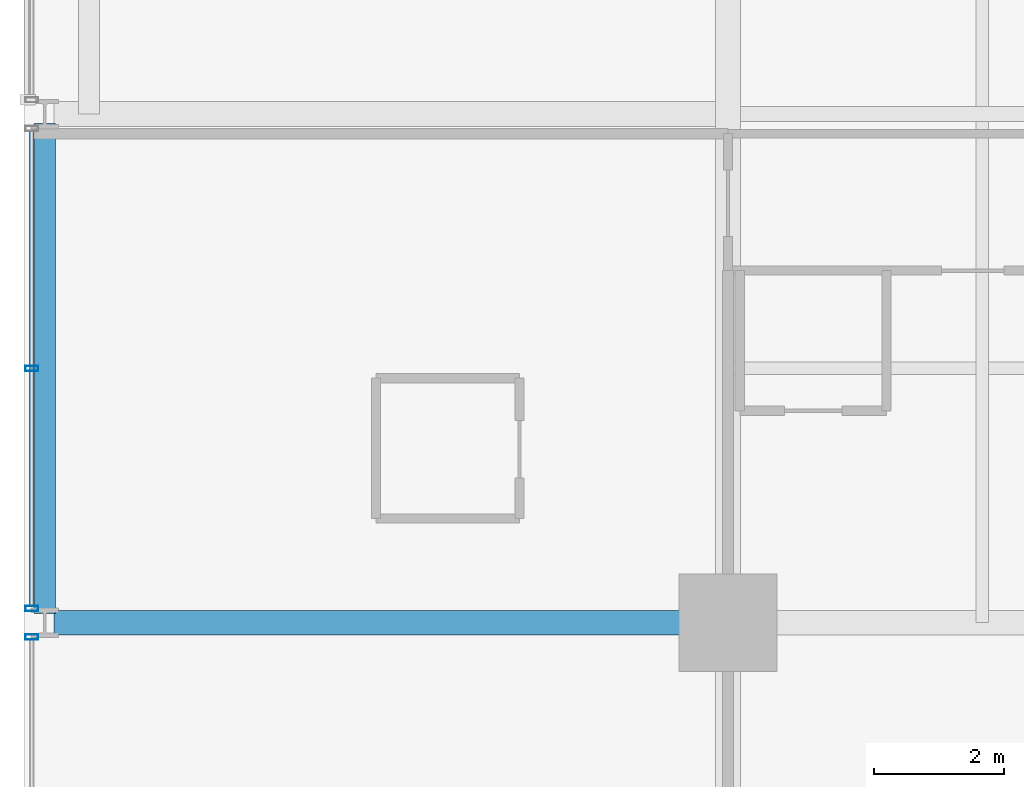
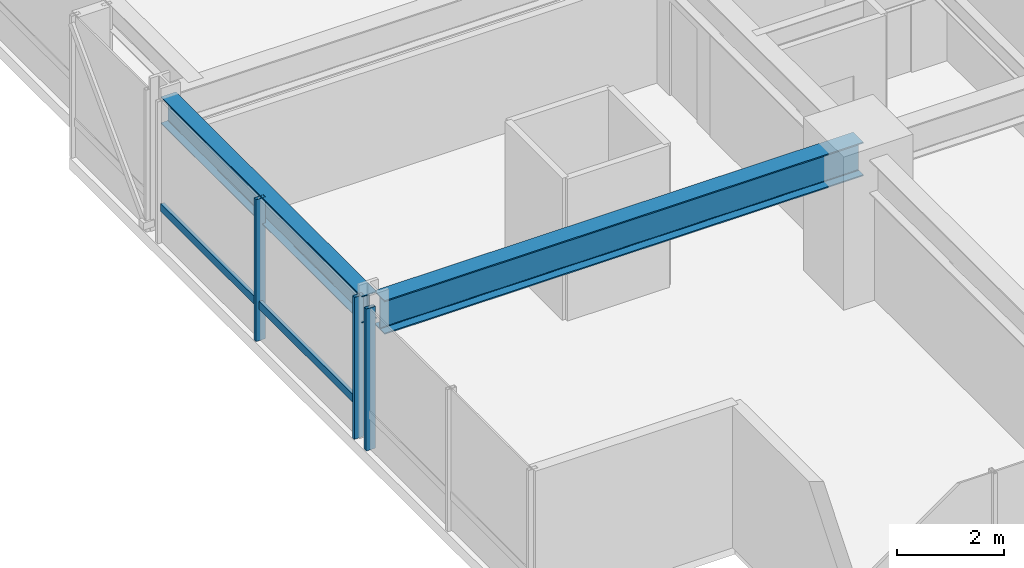
# One storey, part 4 of 35: 4 members, 2 beams, 2 elements without a shape of their own.
"""IFC4 building model written with IfcOpenShell, lengths in metres."""

from ifc_helpers import new_model, si_unit, direction, frame, origin, origin_2d, place, context, subcontext, project, spatial, hollow_rectangle, i_section, extrude, material, layer, layer_set, material_profile, profile_set, type_object, element, aggregate, save


model = new_model("IFC4")

# Units and contexts
model_context = context("Model", 3, precision=1e-05, world=origin(), true_north=direction((0.0, 1.0)))
body_context = subcontext(model_context, "Body", "Model", "MODEL_VIEW")
ifc_project = project(units=[si_unit("LENGTHUNIT", "METRE"), si_unit("AREAUNIT", "SQUARE_METRE"), si_unit("VOLUMEUNIT", "CUBIC_METRE"), si_unit("PLANEANGLEUNIT", "RADIAN"), si_unit("MASSUNIT", "GRAM", prefix="KILO")], contexts=[model_context])

# Site, building, storey
site_placement = place(None, origin())
site = spatial("IfcSite", under=ifc_project, at=site_placement, CompositionType="ELEMENT")
building_placement = place(site_placement, origin())
building = spatial("IfcBuilding", under=site, at=building_placement, Name="Drelvath Grand Hotel", CompositionType="ELEMENT")
storey_placement = place(building_placement, frame((0.0, 0.0, 98.800048828125)))
storey = spatial("IfcBuildingStorey", under=building, at=storey_placement, Name="L24", CompositionType="ELEMENT", Elevation=98.800048828125)

# Curtain wall, member
ifc_material_1 = material(Name="Champagne Bronze Anodised Aluminium Frame", Category="aluminium")
ifc_layer = layer(ifc_material_1, 0.199951171875)
ifc_layer_set = layer_set([ifc_layer], Name="Champagne Bronze Anodised Aluminium Frame")
curtain_wall_type = type_object("IfcCurtainWallType", Name="Stick Curtain Wall CW-03 Champagne Bronze Mid-Rise", PredefinedType="NOTDEFINED", material=ifc_layer_set)
curtain_wall_1_placement = place(storey_placement, origin())
curtain_wall_1 = element("IfcCurtainWall", 1, at=curtain_wall_1_placement, inside=storey, type_object=curtain_wall_type, Name="L24 CW-03 Curtain Wall CW03-L24-WS2", PredefinedType="NOTDEFINED")
ifc_material_profile_1 = material_profile(ifc_material_1, hollow_rectangle(XDim=0.074951171875, YDim=0.179931640625, WallThickness=0.0048828125, at=origin_2d()), Name="HSS180X75X5")
ifc_profile_set_1 = profile_set([ifc_material_profile_1], Name="Champagne Bronze Anodised Aluminium Frame")
member_type_1 = type_object("IfcMemberType", Name="Curtain Wall Horizontal Transom CW-03 HSS180X75X5", PredefinedType="USERDEFINED", material=ifc_profile_set_1)
member_1_placement = place(storey_placement, frame((-26.8798828125, 11.0595703125, 0.81005859375), z_axis=(0.0, 1.0, 0.0), x_axis=(-1.0, 0.0, 0.0)))
member_1 = element("IfcMember", 2, at=member_1_placement, type_object=member_type_1, Name="CW03-L24-WS2 Sill Transom", ObjectType="TRANSOM", PredefinedType="USERDEFINED", context=body_context, shape_type="SweptSolid", body=[
    extrude(hollow_rectangle(XDim=0.074951171875, YDim=0.179931640625, WallThickness=0.0048828125, at=origin_2d()), origin(), (0.0, 0.0, 1.0), 7.28076171875),
])

curtain_wall_2_placement = place(storey_placement, origin())
curtain_wall_2 = element("IfcCurtainWall", 3, at=curtain_wall_2_placement, inside=storey, type_object=curtain_wall_type, Name="L24 CW-03 Curtain Wall CW03-L24-WS1", PredefinedType="NOTDEFINED")
ifc_material_profile_2 = material_profile(ifc_material_1, hollow_rectangle(XDim=0.080078125, YDim=0.199951171875, WallThickness=0.0048828125, at=origin_2d()), Name="HSS200X80X5")
ifc_profile_set_2 = profile_set([ifc_material_profile_2], Name="Champagne Bronze Anodised Aluminium Frame")
member_type_2 = type_object("IfcMemberType", Name="Curtain Wall Vertical Mullion CW-03 HSS200X80X5", PredefinedType="MULLION", material=ifc_profile_set_2)
member_2_placement = place(storey_placement, frame((-26.8798828125, 10.580322265625, 0.0), z_axis=(0.0, 0.0, 1.0), x_axis=(0.0, 1.0, 0.0)))
member_2 = element("IfcMember", 4, at=member_2_placement, type_object=member_type_2, Name="CW03-L24-WS1 Mullion 3", PredefinedType="MULLION", context=body_context, shape_type="SweptSolid", body=[
    extrude(hollow_rectangle(XDim=0.080078125, YDim=0.199951171875, WallThickness=0.0048828125, at=origin_2d()), origin(), (0.0, 0.0, 1.0), 3.239990234375),
])
aggregate(curtain_wall_2, [member_2])

# Member
member_3_placement = place(storey_placement, frame((-26.8798828125, 11.01953125, 0.0), z_axis=(0.0, 0.0, 1.0), x_axis=(0.0, 1.0, 0.0)))
member_3 = element("IfcMember", 5, at=member_3_placement, type_object=member_type_2, Name="CW03-L24-WS2 Mullion 1", PredefinedType="MULLION", context=body_context, shape_type="SweptSolid", body=[
    extrude(hollow_rectangle(XDim=0.080078125, YDim=0.199951171875, WallThickness=0.0048828125, at=origin_2d()), origin(), (0.0, 0.0, 1.0), 3.239990234375),
])

member_4_placement = place(storey_placement, frame((-26.8798828125, 14.699951171875, 0.0), z_axis=(0.0, 0.0, 1.0), x_axis=(0.0, 1.0, 0.0)))
member_4 = element("IfcMember", 6, at=member_4_placement, type_object=member_type_2, Name="CW03-L24-WS2 Mullion 2", PredefinedType="MULLION", context=body_context, shape_type="SweptSolid", body=[
    extrude(hollow_rectangle(XDim=0.080078125, YDim=0.199951171875, WallThickness=0.0048828125, at=origin_2d()), origin(), (0.0, 0.0, 1.0), 3.239990234375),
])

aggregate(curtain_wall_1, [member_3, member_4, member_1])

# Beams
ifc_material_2 = material(Name="Steel ASTM A992 Gr 50", Category="steel")
ifc_material_profile_3 = material_profile(ifc_material_2, i_section(OverallWidth=0.323974609375, OverallDepth=0.611083984375, WebThickness=0.0126953125, FlangeThickness=0.01904296875, FilletRadius=0.02197265625, at=origin_2d()), Name="W24X104")
ifc_profile_set_3 = profile_set([ifc_material_profile_3], Name="Steel ASTM A992 Gr 50")
beam_type_1 = type_object("IfcBeamType", Name="Perimeter Spandrel Beam W24X104", PredefinedType="SPANDREL", material=ifc_profile_set_3)
beam_1_placement = place(storey_placement, frame((-26.679931640625, 10.93994140625, 2.9345703125), z_axis=(0.0, 1.0, 0.0), x_axis=(-1.0, 0.0, 0.0)))
element("IfcBeam", 7, at=beam_1_placement, inside=storey, type_object=beam_type_1, Name="L24 Spandrel West S", PredefinedType="SPANDREL", context=body_context, shape_type="SweptSolid", body=[
    extrude(i_section(OverallWidth=0.323974609375, OverallDepth=0.611083984375, WebThickness=0.0126953125, FlangeThickness=0.01904296875, FilletRadius=0.02197265625, at=origin_2d()), origin(), (0.0, 0.0, 1.0), 7.52001953125),
])
ifc_material_profile_4 = material_profile(ifc_material_2, i_section(OverallWidth=0.380615234375, OverallDepth=0.773193359375, WebThickness=0.0166015625, FlangeThickness=0.027099609375, FilletRadius=0.02490234375, at=origin_2d()), Name="W30X173")
ifc_profile_set_4 = profile_set([ifc_material_profile_4], Name="Steel ASTM A992 Gr 50")
beam_type_2 = type_object("IfcBeamType", Name="Primary Floor Girder W30X173", PredefinedType="BEAM", material=ifc_profile_set_4)
beam_2_placement = place(storey_placement, frame((-26.5400390625, 10.800048828125, 2.853271484375), z_axis=(1.0, 0.0, 0.0), x_axis=(0.0, 1.0, 0.0)))
element("IfcBeam", 8, at=beam_2_placement, inside=storey, type_object=beam_type_2, Name="L24 West Grid Girder C", PredefinedType="BEAM", context=body_context, shape_type="SweptSolid", body=[
    extrude(i_section(OverallWidth=0.380615234375, OverallDepth=0.773193359375, WebThickness=0.0166015625, FlangeThickness=0.027099609375, FilletRadius=0.02490234375, at=origin_2d()), origin(), (0.0, 0.0, 1.0), 10.340087890625),
])

save(model, "model.ifc")
